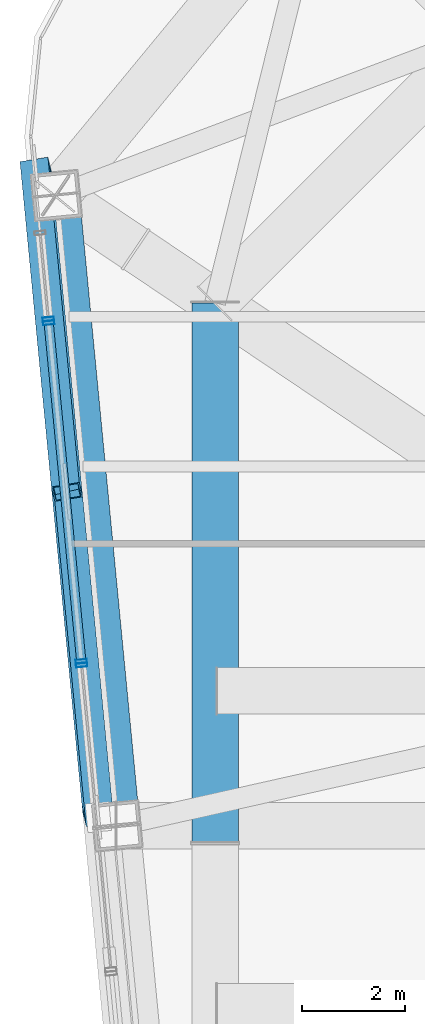
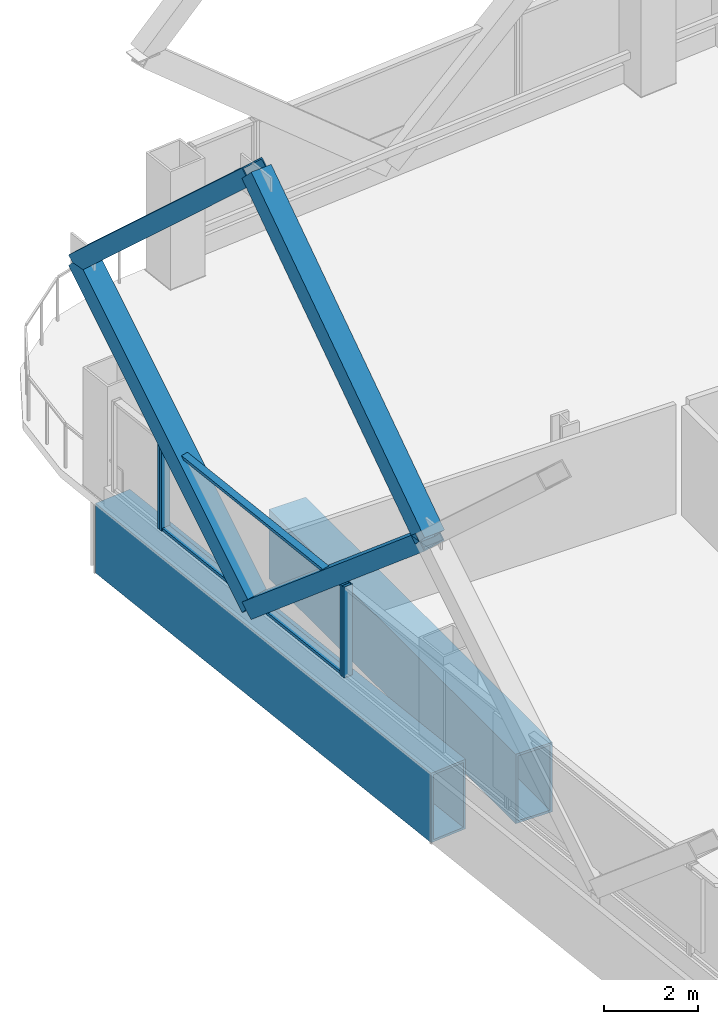
# One storey, part 23 of 42: 10 members, 2 beams, 3 elements without a shape of their own.
"""IFC4 building model written with IfcOpenShell, lengths in metres."""

from ifc_helpers import new_model, si_unit, direction, frame, origin, origin_2d, place, context, subcontext, project, spatial, hollow_rectangle, extrude, material, layer, layer_set, material_profile, profile_set, type_object, element, aggregate, save


model = new_model("IFC4")

# Units and contexts
model_context = context("Model", 3, precision=1e-05, world=origin(), true_north=direction((0.0, 1.0)))
body_context = subcontext(model_context, "Body", "Model", "MODEL_VIEW")
ifc_project = project(units=[si_unit("LENGTHUNIT", "METRE"), si_unit("AREAUNIT", "SQUARE_METRE"), si_unit("VOLUMEUNIT", "CUBIC_METRE"), si_unit("PLANEANGLEUNIT", "RADIAN"), si_unit("MASSUNIT", "GRAM", prefix="KILO")], contexts=[model_context])

# Site, building, storey
site_placement = place(None, origin())
site = spatial("IfcSite", under=ifc_project, at=site_placement, CompositionType="ELEMENT")
building_placement = place(site_placement, origin())
building = spatial("IfcBuilding", under=site, at=building_placement, Name="Qhalaya Broadcast Tower", CompositionType="ELEMENT")
storey_placement = place(building_placement, frame((0.0, 0.0, 69.449951171875)))
storey = spatial("IfcBuildingStorey", under=building, at=storey_placement, Name="L19", CompositionType="ELEMENT", Elevation=69.449951171875)

# Beams
ifc_material_1 = material(Name="Structural Steel ASTM A572 Grade 50", Category="steel")
ifc_material_profile_1 = material_profile(ifc_material_1, hollow_rectangle(XDim=0.89990234375, YDim=1.800048828125, WallThickness=0.06005859375, at=origin_2d()), Name="BOX 900x1800x60")
ifc_profile_set_1 = profile_set([ifc_material_profile_1], Name="Structural Steel ASTM A572 Grade 50")
beam_type = type_object("IfcBeamType", Name="Block Cantilever Transfer Box Girder TG1", PredefinedType="USERDEFINED", material=ifc_profile_set_1)
beam_1_placement = place(storey_placement, frame((-22.212646484375, 19.54541015625, -1.119873046875), z_axis=(0.095851586307, -0.99539563662, 0.0), x_axis=(0.99539563662, 0.095851586307, 0.0)))
element("IfcBeam", 1, at=beam_1_placement, inside=storey, type_object=beam_type, Name="L19 TG1 L19-SPR-13", ObjectType="GIRDER", PredefinedType="USERDEFINED", context=body_context, shape_type="SweptSolid", body=[
    extrude(hollow_rectangle(XDim=0.89990234375, YDim=1.800048828125, WallThickness=0.06005859375, at=origin_2d()), origin(), (0.0, 0.0, 1.0), 12.2666015625),
])
beam_2_placement = place(storey_placement, frame((-19.1298828125, 17.469970703125, -1.119873046875), z_axis=(0.0, -1.0, 0.0), x_axis=(1.0, 0.0, 0.0)))
element("IfcBeam", 2, at=beam_2_placement, inside=storey, type_object=beam_type, Name="L19 TG1 L19-TGL-13", ObjectType="GIRDER", PredefinedType="USERDEFINED", context=body_context, shape_type="SweptSolid", body=[
    extrude(hollow_rectangle(XDim=0.89990234375, YDim=1.800048828125, WallThickness=0.06005859375, at=origin_2d()), origin(), (0.0, 0.0, 1.0), 10.466552734375),
])

# Members
ifc_material_profile_2 = material_profile(ifc_material_1, hollow_rectangle(XDim=0.419921875, YDim=0.550048828125, WallThickness=0.028076171875, at=origin_2d()), Name="BOX 420x550x28")
ifc_profile_set_2 = profile_set([ifc_material_profile_2], Name="Structural Steel ASTM A572 Grade 50")
member_type_1 = type_object("IfcMemberType", Name="Exoskeleton Diamond Diagonal Mid-Low EX2", PredefinedType="BRACE", material=ifc_profile_set_2)
for number, where, z_axis, x_axis, name in (
    (3, (-22.00146484375, 13.805908203125, 0.360107421875), (-0.073066636585, 0.758635580976, 0.647405067864), (0.157184996454, -0.632267567763, 0.758637330775), "B2 Exoskeleton Diamond Brace W1-D1"),
    (4, (-22.00146484375, 13.805908203125, 0.360107421875), (0.073037413912, -0.758637209183, 0.647406457345), (-0.157160868222, 0.632274975342, 0.758636155912), "B2 Exoskeleton Diamond Brace W1-D2"),
):
    element("IfcMember", number, at=place(storey_placement, frame(where, z_axis=z_axis, x_axis=x_axis)), inside=storey, type_object=member_type_1, Name=name, PredefinedType="BRACE", context=body_context, shape_type="SweptSolid", body=[
        extrude(hollow_rectangle(XDim=0.419921875, YDim=0.550048828125, WallThickness=0.028076171875, at=origin_2d()), origin(), (0.0, 0.0, 1.0), 8.309814453125),
    ])
for number, where, z_axis, x_axis, name in (
    (5, (-22.608642578125, 20.110107421875, 5.739990234375), (0.070368182799, -0.730618100613, 0.6791505797), (-0.160214414414, 0.663721379818, 0.730619785789), "B2 Exoskeleton Diamond Brace W1-D3"),
    (6, (-21.39453125, 7.501708984375, 5.739990234375), (-0.070340028415, 0.730619555004, 0.679151931638), (0.160189075689, -0.663728866417, 0.730618540632), "B2 Exoskeleton Diamond Brace W1-D4"),
):
    element("IfcMember", number, at=place(storey_placement, frame(where, z_axis=z_axis, x_axis=x_axis)), inside=storey, type_object=member_type_1, Name=name, PredefinedType="BRACE", context=body_context, shape_type="SweptSolid", body=[
        extrude(hollow_rectangle(XDim=0.419921875, YDim=0.550048828125, WallThickness=0.028076171875, at=origin_2d()), origin(), (0.0, 0.0, 1.0), 8.628662109375),
    ])

# Curtain wall, member
ifc_material_2 = material(Name="Solar-Control Low-E Triple Glazing", Category="glass")
ifc_layer_1 = layer(ifc_material_2, 0.219970703125, Name="Solar-Control Low-E Triple Glazing")
ifc_layer_set_1 = layer_set([ifc_layer_1], Name="Solar-Control Low-E Triple Glazing")
curtain_wall_type_1 = type_object("IfcCurtainWallType", Name="Even-Block 4-Storey Double-Module Curtain Wall CW-03", PredefinedType="NOTDEFINED", material=ifc_layer_set_1)
curtain_wall_1_placement = place(storey_placement, origin())
curtain_wall_1 = element("IfcCurtainWall", 7, at=curtain_wall_1_placement, inside=storey, type_object=curtain_wall_type_1, Name="L19 Unitised Curtain Wall L19-CW-W1", PredefinedType="NOTDEFINED")
ifc_material_3 = material(Name="Anodised Aluminium 6063-T6", Category="aluminium")
ifc_material_profile_3 = material_profile(ifc_material_3, hollow_rectangle(XDim=0.074951171875, YDim=0.219970703125, WallThickness=0.00390625, at=origin_2d()), Name="ALU-MUL 75x220x4")
ifc_profile_set_3 = profile_set([ifc_material_profile_3], Name="Anodised Aluminium 6063-T6")
member_type_2 = type_object("IfcMemberType", Name="Unitised Curtain-Wall Mullion M01", PredefinedType="MULLION", material=ifc_profile_set_3)
member_1_placement = place(storey_placement, frame((-22.3642578125, 17.155517578125, 0.47998046875), z_axis=(0.0, 0.0, 1.0), x_axis=(0.095835306252, -0.995397204173, 0.0)))
member_1 = element("IfcMember", 8, at=member_1_placement, type_object=member_type_2, Name="CW-03 mullion 2", PredefinedType="MULLION", context=body_context, shape_type="SweptSolid", body=[
    extrude(hollow_rectangle(XDim=0.074951171875, YDim=0.219970703125, WallThickness=0.00390625, at=origin_2d()), origin(), (0.0, 0.0, 1.0), 2.35009765625),
])
aggregate(curtain_wall_1, [member_1])

# Curtain wall, members
ifc_material_4 = material(Name="Fired Architectural Terracotta", Category="masonry")
ifc_layer_2 = layer(ifc_material_4, 0.219970703125, Name="Fired Architectural Terracotta")
ifc_layer_set_2 = layer_set([ifc_layer_2], Name="Fired Architectural Terracotta")
curtain_wall_type_2 = type_object("IfcCurtainWallType", Name="Block-Cap Unitised Terracotta Spandrel Wall CW-07", PredefinedType="NOTDEFINED", material=ifc_layer_set_2)
curtain_wall_2_placement = place(storey_placement, origin())
curtain_wall_2 = element("IfcCurtainWall", 9, at=curtain_wall_2_placement, inside=storey, type_object=curtain_wall_type_2, Name="L19 Unitised Curtain Wall L19-CW-W2", PredefinedType="NOTDEFINED")
member_2_placement = place(storey_placement, frame((-22.357177734375, 17.080810546875, 0.47998046875), z_axis=(0.0, 0.0, 1.0), x_axis=(0.095856535899, -0.995395159987, 0.0)))
member_2 = element("IfcMember", 10, at=member_2_placement, type_object=member_type_2, Name="CW-07 mullion 1", PredefinedType="MULLION", context=body_context, shape_type="SweptSolid", body=[
    extrude(hollow_rectangle(XDim=0.074951171875, YDim=0.219970703125, WallThickness=0.00390625, at=origin_2d()), origin(), (0.0, 0.0, 1.0), 2.35009765625),
])
member_3_placement = place(storey_placement, frame((-21.7255859375, 10.52294921875, 0.47998046875), z_axis=(0.0, 0.0, 1.0), x_axis=(0.095856535899, -0.995395159987, 0.0)))
member_3 = element("IfcMember", 11, at=member_3_placement, type_object=member_type_2, Name="CW-07 mullion 2", PredefinedType="MULLION", context=body_context, shape_type="SweptSolid", body=[
    extrude(hollow_rectangle(XDim=0.074951171875, YDim=0.219970703125, WallThickness=0.00390625, at=origin_2d()), origin(), (0.0, 0.0, 1.0), 2.35009765625),
])

# Curtain wall, member
curtain_wall_3_placement = place(storey_placement, origin())
curtain_wall_3 = element("IfcCurtainWall", 12, at=curtain_wall_3_placement, inside=storey, type_object=curtain_wall_type_1, Name="L19 Unitised Curtain Wall L19-CW-W3", PredefinedType="NOTDEFINED")
member_4_placement = place(storey_placement, frame((-21.718505859375, 10.448486328125, 0.47998046875), z_axis=(0.0, 0.0, 1.0), x_axis=(0.095837131698, -0.99539702842, 0.0)))
member_4 = element("IfcMember", 13, at=member_4_placement, type_object=member_type_2, Name="CW-03 mullion 1", PredefinedType="MULLION", context=body_context, shape_type="SweptSolid", body=[
    extrude(hollow_rectangle(XDim=0.074951171875, YDim=0.219970703125, WallThickness=0.00390625, at=origin_2d()), origin(), (0.0, 0.0, 1.0), 2.35009765625),
])
aggregate(curtain_wall_3, [member_4])

# Member
ifc_material_profile_4 = material_profile(ifc_material_3, hollow_rectangle(XDim=0.074951171875, YDim=0.179931640625, WallThickness=0.00390625, at=origin_2d()), Name="ALU-TRN 75x180x4")
ifc_profile_set_4 = profile_set([ifc_material_profile_4], Name="Anodised Aluminium 6063-T6")
member_type_3 = type_object("IfcMemberType", Name="Unitised Curtain-Wall Transom T01", PredefinedType="USERDEFINED", material=ifc_profile_set_4)
member_5_placement = place(storey_placement, frame((-22.353515625, 17.04345703125, 0.517578125), z_axis=(0.095847398754, -0.995396039852, 0.0), x_axis=(0.0, 0.0, 1.0)))
member_5 = element("IfcMember", 14, at=member_5_placement, type_object=member_type_3, Name="CW-07 transom 1.1", ObjectType="TRANSOM", PredefinedType="USERDEFINED", context=body_context, shape_type="SweptSolid", body=[
    extrude(hollow_rectangle(XDim=0.074951171875, YDim=0.179931640625, WallThickness=0.00390625, at=origin_2d()), origin(), (0.0, 0.0, 1.0), 6.51318359375),
])

member_6_placement = place(storey_placement, frame((-22.353515625, 17.04345703125, 2.79248046875), z_axis=(0.095847398754, -0.995396039852, 0.0), x_axis=(0.0, 0.0, 1.0)))
member_6 = element("IfcMember", 15, at=member_6_placement, type_object=member_type_3, Name="CW-07 transom 1.2", ObjectType="TRANSOM", PredefinedType="USERDEFINED", context=body_context, shape_type="SweptSolid", body=[
    extrude(hollow_rectangle(XDim=0.074951171875, YDim=0.179931640625, WallThickness=0.00390625, at=origin_2d()), origin(), (0.0, 0.0, 1.0), 6.51318359375),
])

aggregate(curtain_wall_2, [member_2, member_3, member_5, member_6])

save(model, "model.ifc")
